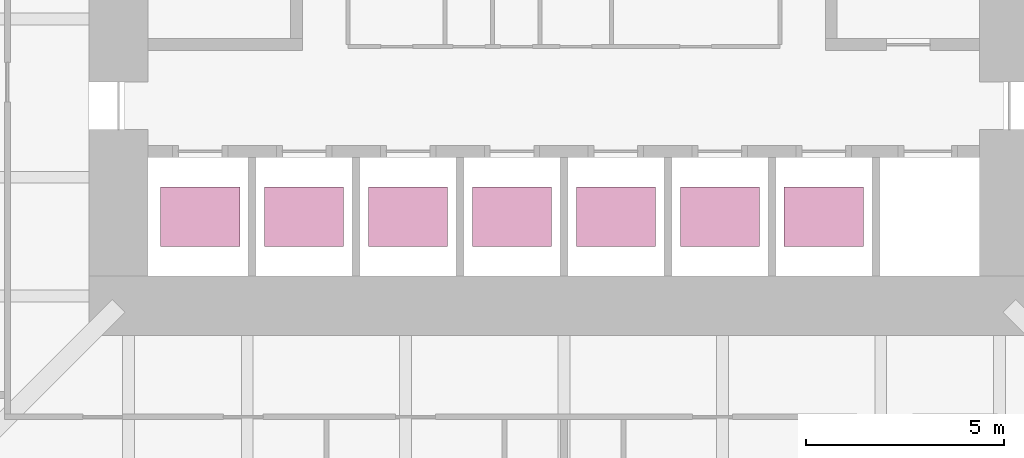
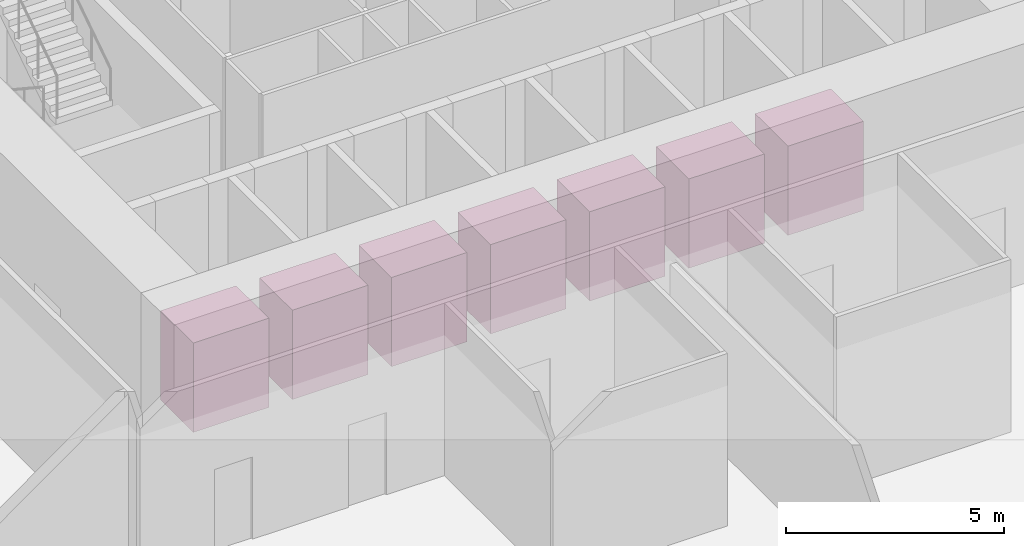
# One storey, part 18 of 18: 7 transport elements.
"""IFC4 building model written with IfcOpenShell, lengths in metres."""

import ifcopenshell
import ifcopenshell.guid

model = None  # the IFC model being written
_history = None  # IfcOwnerHistory: only IFC2X3 demands one
_inside = {}  # id of a spatial element -> (the spatial element, [elements in it])
_under = {}  # id of a project, library or spatial element -> (it, [spatial elements below it])
_declared = {}  # id of a project -> (the project, [libraries it declares])
_typed = {}  # id of a type object -> (the type object, [elements of that type])
_made_of = {}  # id of a material, layer set ... -> (it, [elements and type objects made of it])


def new_model(schema):
    """Start an empty IFC model of exactly this schema.

    Asked for "IFC4X3", IfcOpenShell would pick the latest addendum, in which some entities
    have other attributes; the version numbers below select the first issue.
    IFC2X3 requires an IfcOwnerHistory on every rooted entity: one is made here for all.
    """
    global model, _history
    if schema == "IFC4X3":
        model = ifcopenshell.file(schema_version=(4, 3, 0, 0))
    else:
        model = ifcopenshell.file(schema=schema)
    _inside.clear()
    _under.clear()
    _declared.clear()
    _typed.clear()
    _made_of.clear()
    _history = None
    if model.schema == "IFC2X3":
        org = make("IfcOrganization", Name="unknown")
        user = make(
            "IfcPersonAndOrganization",
            ThePerson=make("IfcPerson", FamilyName="unknown"),
            TheOrganization=org,
        )
        app = make(
            "IfcApplication",
            ApplicationDeveloper=org,
            Version="unknown",
            ApplicationFullName="unknown",
            ApplicationIdentifier="unknown",
        )
        _history = make(
            "IfcOwnerHistory",
            OwningUser=user,
            OwningApplication=app,
            ChangeAction="ADDED",
            CreationDate=0,
        )
    return model


def make(cls, **values):
    """One entity of the class cls with the attributes given. An attribute that is None is left unset."""
    return model.create_entity(
        cls, **{name: value for name, value in values.items() if value is not None}
    )


def rooted(cls, **values):
    """An entity with a GlobalId (a new one), such as an element, a storey or a relation."""
    return make(cls, GlobalId=ifcopenshell.guid.new(), OwnerHistory=_history, **values)


def si_unit(unit_type, name, prefix=None):
    """IfcSIUnit, for example si_unit("LENGTHUNIT", "METRE", prefix="MILLI")."""
    return make("IfcSIUnit", UnitType=unit_type, Prefix=prefix, Name=name)


def assignment(units):
    """IfcUnitAssignment: the units of a project."""
    return None if units is None else make("IfcUnitAssignment", Units=units)


def point(xyz):
    """IfcCartesianPoint."""
    return None if xyz is None else make("IfcCartesianPoint", Coordinates=xyz)


def direction(xyz):
    """IfcDirection."""
    return None if xyz is None else make("IfcDirection", DirectionRatios=xyz)


def frame(location, z_axis=None, x_axis=None):
    """IfcAxis2Placement3D, a coordinate frame: its origin and axes. An axis left out is left unset."""
    return make(
        "IfcAxis2Placement3D",
        Location=point(location),
        Axis=direction(z_axis),
        RefDirection=direction(x_axis),
    )


def frame_2d(location, x_axis=None):
    """IfcAxis2Placement2D, a coordinate frame in the plane: its origin and x axis."""
    return make(
        "IfcAxis2Placement2D", Location=point(location), RefDirection=direction(x_axis)
    )


def origin():
    """The frame at (0, 0, 0) with its axes left unset."""
    return frame((0.0, 0.0, 0.0))


def origin_with_axes():
    """The frame at (0, 0, 0) with the z axis (0, 0, 1) and the x axis (1, 0, 0) written out."""
    return frame((0.0, 0.0, 0.0), z_axis=(0.0, 0.0, 1.0), x_axis=(1.0, 0.0, 0.0))


def origin_2d():
    """The frame at (0, 0) in the plane with its x axis left unset."""
    return frame_2d((0.0, 0.0))


def place(relative_to, where):
    """IfcLocalPlacement: puts the frame where relative to a parent placement (None: the world)."""
    return make(
        "IfcLocalPlacement", PlacementRelTo=relative_to, RelativePlacement=where
    )


def context(
    kind, dimensions, precision=None, world=None, true_north=None, identifier=None
):
    """IfcGeometricRepresentationContext, for example the 3D "Model" context."""
    return make(
        "IfcGeometricRepresentationContext",
        ContextIdentifier=identifier,
        ContextType=kind,
        CoordinateSpaceDimension=dimensions,
        Precision=precision,
        WorldCoordinateSystem=world,
        TrueNorth=true_north,
    )


def subcontext(parent, identifier, kind, view, scale=None):
    """IfcGeometricRepresentationSubContext, for example "Body" below "Model"."""
    return make(
        "IfcGeometricRepresentationSubContext",
        ContextIdentifier=identifier,
        ContextType=kind,
        ParentContext=parent,
        TargetScale=scale,
        TargetView=view,
    )


def project(units=None, contexts=None):
    """IfcProject with its units and contexts."""
    return rooted(
        "IfcProject",
        Name="project",
        RepresentationContexts=contexts,
        UnitsInContext=assignment(units),
    )


def spatial(cls, under=None, at=None, **own):
    """A site, building, storey or space (cls), placed at a placement, below another one or the project."""
    s = rooted(cls, ObjectPlacement=at, **own)
    if under is not None:
        _under.setdefault(under.id(), (under, []))[1].append(s)
    return s


def profile(cls, at=None, kind="AREA", **sizes):
    """A parametric profile (cls). Its sizes go by their IFC names, for example OverallWidth=200.0."""
    return make(cls, ProfileType=kind, Position=at, **sizes)


def rectangle(**sizes):
    """IfcRectangleProfileDef."""
    return profile("IfcRectangleProfileDef", **sizes)


def extrude(swept, where, along, depth):
    """IfcExtrudedAreaSolid: the profile swept, set in the frame where, extruded along a direction by depth."""
    return make(
        "IfcExtrudedAreaSolid",
        SweptArea=swept,
        Position=where,
        ExtrudedDirection=direction(along),
        Depth=depth,
    )


def shape(context_of_items, identifier, shape_type, items):
    """IfcShapeRepresentation: the items that make up one representation, for example the "Body"."""
    return make(
        "IfcShapeRepresentation",
        ContextOfItems=context_of_items,
        RepresentationIdentifier=identifier,
        RepresentationType=shape_type,
        Items=items,
    )


def material(Name=None, Category=None):
    """IfcMaterial."""
    return make("IfcMaterial", Name=Name, Category=Category)


def made_of(thing, what):
    """Note that an element or type object is made of a material, layer set ...; save() writes the relation."""
    if what is not None:
        _made_of.setdefault(what.id(), (what, []))[1].append(thing)
    return thing


def type_object(cls, material=None, **own):
    """A type object (cls), such as IfcWallType, which elements share."""
    return made_of(rooted(cls, **own), material)


def element(
    cls,
    number,
    at=None,
    inside=None,
    cuts=None,
    type_object=None,
    material=None,
    context=None,
    identifier="Body",
    shape_type=None,
    held_by="IfcProductDefinitionShape",
    body=None,
    shapes=None,
    **own,
):
    """One element of the class cls, such as IfcWall. Its Tag is "e" and its number.

    at: its placement. inside: the storey or other place that contains it. cuts: it is an
    opening in that element (IfcRelVoidsElement). A single representation is given by context,
    identifier, shape_type and body (its items); several are given by shapes. held_by: the class
    of the entity that holds the representations. save() writes the other relations.
    """
    e = rooted(cls, Tag="e%d" % number, ObjectPlacement=at, **own)
    if body is not None:
        shapes = [shape(context, identifier, shape_type, body)]
    if shapes is not None:
        e.Representation = make(held_by, Representations=shapes)
    if inside is not None:
        _inside.setdefault(inside.id(), (inside, []))[1].append(e)
    if cuts is not None:
        rooted(
            "IfcRelVoidsElement", RelatingBuildingElement=cuts, RelatedOpeningElement=e
        )
    if type_object is not None:
        _typed.setdefault(type_object.id(), (type_object, []))[1].append(e)
    return made_of(e, material)


def aggregate(whole, parts):
    """IfcRelAggregates: a whole, such as a stair, and the parts it consists of."""
    return rooted("IfcRelAggregates", RelatingObject=whole, RelatedObjects=parts)


def save(model, path):
    """Write the relations noted so far, then the file.

    IfcRelAggregates (storeys below a building ...), IfcRelContainedInSpatialStructure (elements
    in a storey), IfcRelDefinesByType, IfcRelAssociatesMaterial and IfcRelDeclares: one each for
    every whole, place, type object, material and project.
    """
    for whole, parts in _under.values():
        aggregate(whole, parts)
    for where, things in _inside.values():
        rooted(
            "IfcRelContainedInSpatialStructure",
            RelatedElements=things,
            RelatingStructure=where,
        )
    for kind, things in _typed.values():
        rooted("IfcRelDefinesByType", RelatedObjects=things, RelatingType=kind)
    for what, things in _made_of.values():
        rooted("IfcRelAssociatesMaterial", RelatedObjects=things, RelatingMaterial=what)
    for by, libraries in _declared.values():
        rooted("IfcRelDeclares", RelatingContext=by, RelatedDefinitions=libraries)
    model.write(path)


model = new_model("IFC4")

# Units and contexts
model_context = context("Model", 3, precision=1e-05, world=origin(), true_north=direction((0.0, 1.0)))
body_context = subcontext(model_context, "Body", "Model", "MODEL_VIEW")
ifc_project = project(units=[si_unit("LENGTHUNIT", "METRE"), si_unit("AREAUNIT", "SQUARE_METRE"), si_unit("VOLUMEUNIT", "CUBIC_METRE"), si_unit("PLANEANGLEUNIT", "RADIAN"), si_unit("MASSUNIT", "GRAM", prefix="KILO")], contexts=[model_context])

# Site, building, storey
site_placement = place(None, origin())
site = spatial("IfcSite", under=ifc_project, at=site_placement, CompositionType="ELEMENT")
building_placement = place(site_placement, origin())
building = spatial("IfcBuilding", under=site, at=building_placement, Name="Peilmerk Tower", CompositionType="ELEMENT")
storey_placement = place(building_placement, frame((0.0, 0.0, 122.800048828125)))
storey = spatial("IfcBuildingStorey", under=building, at=storey_placement, Name="L24", CompositionType="ELEMENT", Elevation=122.800048828125)

# Transport elements
ifc_material = material(Name="Steel lift car, stainless steel lining", Category="steel")
transport_element_type_1 = type_object("IfcTransportElementType", Name="LDB 1600 kg passenger lift, mid rise, car 2000x1500", PredefinedType="ELEVATOR", material=ifc_material)
for number, where, z_axis, x_axis, name in (
    (1, (6.5625, -9.0, 0.0), (0.0, 0.0, 1.0), (1.0, 0.0, 0.0), "Lift B1"),
    (2, (3.9375, -9.0, 0.0), (0.0, 0.0, 1.0), (1.0, 0.0, 0.0), "Lift B2"),
    (3, (1.3125, -9.0, 0.0), (0.0, 0.0, 1.0), (1.0, 0.0, 0.0), "Lift B3"),
):
    element("IfcTransportElement", number, at=place(storey_placement, frame(where, z_axis=z_axis, x_axis=x_axis)), inside=storey, type_object=transport_element_type_1, Name=name, PredefinedType="ELEVATOR", context=body_context, shape_type="SweptSolid", body=[
        extrude(rectangle(XDim=2.0, YDim=1.5, at=origin_2d()), origin_with_axes(), (0.0, 0.0, 1.0), 2.5),
    ])
transport_element_type_2 = type_object("IfcTransportElementType", Name="LDC 1600 kg passenger lift, high rise, car 2000x1500", PredefinedType="ELEVATOR", material=ifc_material)
for number, where, z_axis, x_axis, name in (
    (4, (-1.3125, -9.0, 0.0), (0.0, 0.0, 1.0), (1.0, 0.0, 0.0), "Lift C1"),
    (5, (-3.9375, -9.0, 0.0), (0.0, 0.0, 1.0), (1.0, 0.0, 0.0), "Lift C2"),
    (6, (-6.5625, -9.0, 0.0), (0.0, 0.0, 1.0), (1.0, 0.0, 0.0), "Lift C3"),
    (7, (-9.1875, -9.0, 0.0), (0.0, 0.0, 1.0), (1.0, 0.0, 0.0), "Lift C4"),
):
    element("IfcTransportElement", number, at=place(storey_placement, frame(where, z_axis=z_axis, x_axis=x_axis)), inside=storey, type_object=transport_element_type_2, Name=name, PredefinedType="ELEVATOR", context=body_context, shape_type="SweptSolid", body=[
        extrude(rectangle(XDim=2.0, YDim=1.5, at=origin_2d()), origin_with_axes(), (0.0, 0.0, 1.0), 2.5),
    ])

save(model, "model.ifc")
